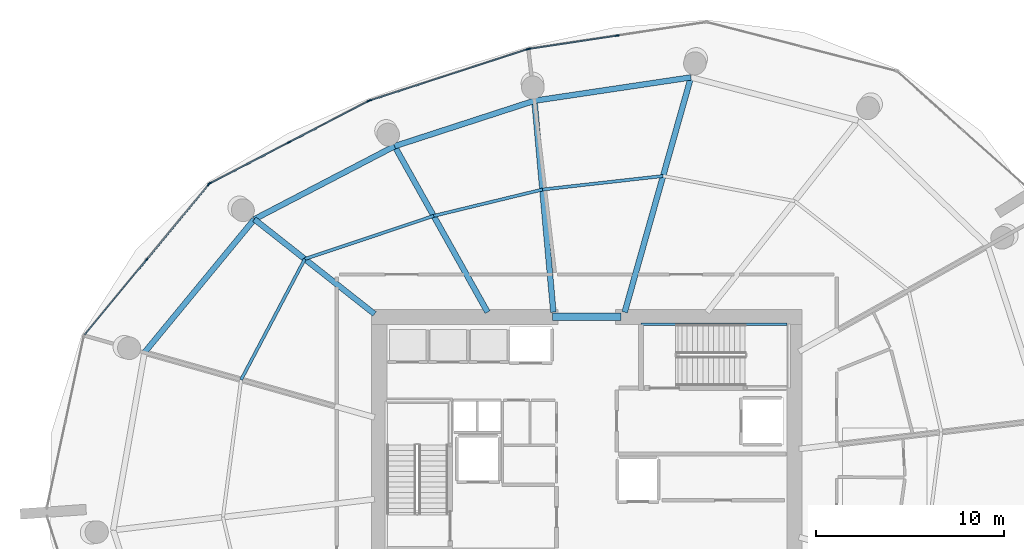
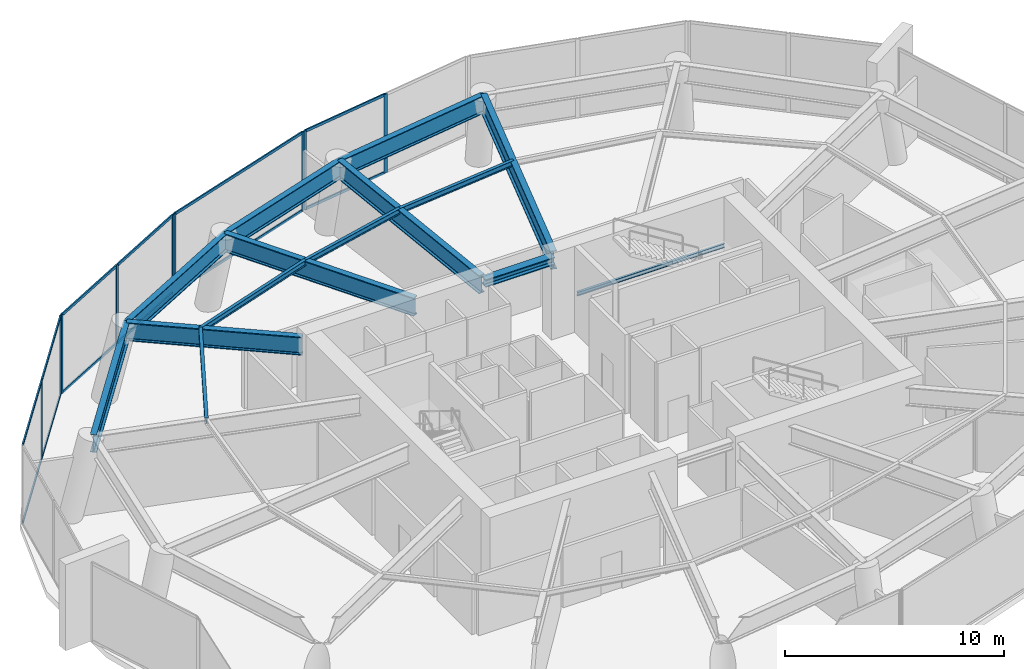
# One storey, part 8 of 16: 21 members, 14 beams, 4 elements without a shape of their own.
"""IFC4 building model written with IfcOpenShell, lengths in metres."""

from ifc_helpers import new_model, si_unit, direction, frame, origin, origin_2d, place, context, subcontext, project, spatial, rectangle, i_section, extrude, material, layer, layer_set, material_profile, profile_set, type_object, element, aggregate, save


model = new_model("IFC4")

# Units and contexts
model_context = context("Model", 3, precision=1e-05, world=origin(), true_north=direction((0.0, 1.0)))
body_context = subcontext(model_context, "Body", "Model", "MODEL_VIEW")
ifc_project = project(units=[si_unit("LENGTHUNIT", "METRE"), si_unit("AREAUNIT", "SQUARE_METRE"), si_unit("VOLUMEUNIT", "CUBIC_METRE"), si_unit("PLANEANGLEUNIT", "RADIAN"), si_unit("MASSUNIT", "GRAM", prefix="KILO")], contexts=[model_context])

# Site, building, storey
site_placement = place(None, origin())
site = spatial("IfcSite", under=ifc_project, at=site_placement, CompositionType="ELEMENT")
building_placement = place(site_placement, origin())
building = spatial("IfcBuilding", under=site, at=building_placement, Name="Kazma Halo Residences", CompositionType="ELEMENT")
storey_placement = place(building_placement, frame((0.0, 0.0, 123.0)))
storey = spatial("IfcBuildingStorey", under=building, at=storey_placement, Name="L30", CompositionType="ELEMENT", Elevation=123.0)

# Beams
ifc_material_1 = material(Name="Steel S355", Category="steel")
ifc_material_profile_1 = material_profile(ifc_material_1, i_section(OverallWidth=0.408935546875, OverallDepth=0.425048828125, WebThickness=0.03271484375, FlangeThickness=0.052490234375, FilletRadius=0.02001953125, at=origin_2d()), Name="W360x421")
ifc_profile_set_1 = profile_set([ifc_material_profile_1], Name="Steel S355")
beam_type_1 = type_object("IfcBeamType", Name="BM-CORE-W360H", PredefinedType="BEAM", material=ifc_profile_set_1)
beam_1_placement = place(storey_placement, frame((46.60009765625, 50.39990234375, 4.1875), z_axis=(1.0, 0.0, 0.0), x_axis=(0.0, 1.0, 0.0)))
element("IfcBeam", 1, at=beam_1_placement, inside=storey, type_object=beam_type_1, Name="L30 core coupling beam N", PredefinedType="BEAM", context=body_context, shape_type="SweptSolid", body=[
    extrude(i_section(OverallWidth=0.408935546875, OverallDepth=0.425048828125, WebThickness=0.03271484375, FlangeThickness=0.052490234375, FilletRadius=0.02001953125, at=origin_2d()), origin(), (0.0, 0.0, 1.0), 3.64990234375),
])
ifc_material_profile_2 = material_profile(ifc_material_1, i_section(OverallWidth=0.1650390625, OverallDepth=0.31005859375, WebThickness=0.005859375, FlangeThickness=0.009765625, FilletRadius=0.011962890625, at=origin_2d()), Name="W310x38.7")
ifc_profile_set_2 = profile_set([ifc_material_profile_2], Name="Steel S355")
beam_type_2 = type_object("IfcBeamType", Name="BM-SEC-W310B", PredefinedType="JOIST", material=ifc_profile_set_2)
beam_2_placement = place(storey_placement, frame((52.479736328125, 57.8837890625, 4.2451171875), z_axis=(-0.993758506402, -0.111552816879, 0.0), x_axis=(0.111552816879, -0.993758506402, 0.0)))
element("IfcBeam", 2, at=beam_2_placement, inside=storey, type_object=beam_type_2, Name="L30 circumferential floor joist 03", PredefinedType="JOIST", context=body_context, shape_type="SweptSolid", body=[
    extrude(i_section(OverallWidth=0.1650390625, OverallDepth=0.31005859375, WebThickness=0.005859375, FlangeThickness=0.009765625, FilletRadius=0.011962890625, at=origin_2d()), origin(), (0.0, 0.0, 1.0), 6.451904296875),
])
beam_3_placement = place(storey_placement, frame((46.068115234375, 57.1640625, 4.2451171875), z_axis=(-0.971857230303, -0.235570634649, 0.0), x_axis=(0.235570634649, -0.971857230303, 0.0)))
element("IfcBeam", 3, at=beam_3_placement, inside=storey, type_object=beam_type_2, Name="L30 circumferential floor joist 04", PredefinedType="JOIST", context=body_context, shape_type="SweptSolid", body=[
    extrude(i_section(OverallWidth=0.1650390625, OverallDepth=0.31005859375, WebThickness=0.005859375, FlangeThickness=0.009765625, FilletRadius=0.011962890625, at=origin_2d()), origin(), (0.0, 0.0, 1.0), 5.943603515625),
])
beam_4_placement = place(storey_placement, frame((40.291748046875, 55.763916015625, 4.2451171875), z_axis=(-0.948280028071, -0.31743501439, 0.0), x_axis=(0.31743501439, -0.948280028071, 0.0)))
element("IfcBeam", 4, at=beam_4_placement, inside=storey, type_object=beam_type_2, Name="L30 circumferential floor joist 05", PredefinedType="JOIST", context=body_context, shape_type="SweptSolid", body=[
    extrude(i_section(OverallWidth=0.1650390625, OverallDepth=0.31005859375, WebThickness=0.005859375, FlangeThickness=0.009765625, FilletRadius=0.011962890625, at=origin_2d()), origin(), (0.0, 0.0, 1.0), 7.218017578125),
])
beam_5_placement = place(storey_placement, frame((33.447021484375, 53.47265625, 4.2451171875), z_axis=(-0.466699374424, -0.884416018575, 0.0), x_axis=(0.884416018575, -0.466699374424, 0.0)))
element("IfcBeam", 5, at=beam_5_placement, inside=storey, type_object=beam_type_2, Name="L30 circumferential floor joist 06", PredefinedType="JOIST", context=body_context, shape_type="SweptSolid", body=[
    extrude(i_section(OverallWidth=0.1650390625, OverallDepth=0.31005859375, WebThickness=0.005859375, FlangeThickness=0.009765625, FilletRadius=0.011962890625, at=origin_2d()), origin(), (0.0, 0.0, 1.0), 7.251953125),
])
ifc_material_profile_3 = material_profile(ifc_material_1, i_section(OverallWidth=0.302001953125, OverallDepth=1.01806640625, WebThickness=0.021484375, FlangeThickness=0.049072265625, FilletRadius=0.028076171875, at=origin_2d()), Name="W1000x443")
ifc_profile_set_3 = profile_set([ifc_material_profile_3], Name="Steel S355")
beam_type_3 = type_object("IfcBeamType", Name="BM-TRANS-W1000A", PredefinedType="BEAM", material=ifc_profile_set_3)
beam_6_placement = place(storey_placement, frame((50.439697265625, 50.64990234375, 3.89111328125), z_axis=(0.271432420766, 0.962457500858, 0.0), x_axis=(-0.962457500858, 0.271432420766, 0.0)))
element("IfcBeam", 6, at=beam_6_placement, inside=storey, type_object=beam_type_3, Name="L30 podium radial transfer girder 03", PredefinedType="BEAM", context=body_context, shape_type="SweptSolid", body=[
    extrude(i_section(OverallWidth=0.302001953125, OverallDepth=1.01806640625, WebThickness=0.021484375, FlangeThickness=0.049072265625, FilletRadius=0.028076171875, at=origin_2d()), origin(), (0.0, 0.0, 1.0), 12.95849609375),
])
beam_7_placement = place(storey_placement, frame((46.64990234375, 50.64990234375, 3.89111328125), z_axis=(-0.088944596011, 0.996036575052, 0.0), x_axis=(-0.996036575052, -0.088944596011, 0.0)))
element("IfcBeam", 7, at=beam_7_placement, inside=storey, type_object=beam_type_3, Name="L30 podium radial transfer girder 04", PredefinedType="BEAM", context=body_context, shape_type="SweptSolid", body=[
    extrude(i_section(OverallWidth=0.302001953125, OverallDepth=1.01806640625, WebThickness=0.021484375, FlangeThickness=0.049072265625, FilletRadius=0.028076171875, at=origin_2d()), origin(), (0.0, 0.0, 1.0), 11.27587890625),
])
beam_8_placement = place(storey_placement, frame((43.15576171875, 50.64990234375, 3.89111328125), z_axis=(-0.488604104572, 0.872505603991, 0.0), x_axis=(-0.872505603991, -0.488604104572, 0.0)))
element("IfcBeam", 8, at=beam_8_placement, inside=storey, type_object=beam_type_3, Name="L30 podium radial transfer girder 05", PredefinedType="BEAM", context=body_context, shape_type="SweptSolid", body=[
    extrude(i_section(OverallWidth=0.302001953125, OverallDepth=1.01806640625, WebThickness=0.021484375, FlangeThickness=0.049072265625, FilletRadius=0.028076171875, at=origin_2d()), origin(), (0.0, 0.0, 1.0), 10.105712890625),
])
beam_9_placement = place(storey_placement, frame((37.14990234375, 50.553466796875, 3.89111328125), z_axis=(-0.785316898239, 0.619093990715, 0.0), x_axis=(-0.619093990715, -0.785316898239, 0.0)))
element("IfcBeam", 9, at=beam_9_placement, inside=storey, type_object=beam_type_3, Name="L30 podium radial transfer girder 06", PredefinedType="BEAM", context=body_context, shape_type="SweptSolid", body=[
    extrude(i_section(OverallWidth=0.302001953125, OverallDepth=1.01806640625, WebThickness=0.021484375, FlangeThickness=0.049072265625, FilletRadius=0.028076171875, at=origin_2d()), origin(), (0.0, 0.0, 1.0), 8.129638671875),
])
ifc_material_profile_4 = material_profile(ifc_material_1, i_section(OverallWidth=0.300048828125, OverallDepth=1.0, WebThickness=0.01904296875, FlangeThickness=0.0400390625, FilletRadius=0.02587890625, at=origin_2d()), Name="W1000x371")
ifc_profile_set_4 = profile_set([ifc_material_profile_4], Name="Steel S355")
beam_type_4 = type_object("IfcBeamType", Name="BM-TRANS-W1000B", PredefinedType="BEAM", material=ifc_profile_set_4)
beam_10_placement = place(storey_placement, frame((53.95703125, 63.121826171875, 3.89990234375), z_axis=(-0.989037147603, -0.147666924735, 0.0), x_axis=(0.147666924735, -0.989037147603, 0.0)))
element("IfcBeam", 10, at=beam_10_placement, inside=storey, type_object=beam_type_4, Name="L30 perimeter ring beam 03", PredefinedType="BEAM", context=body_context, shape_type="SweptSolid", body=[
    extrude(i_section(OverallWidth=0.300048828125, OverallDepth=1.0, WebThickness=0.01904296875, FlangeThickness=0.0400390625, FilletRadius=0.02587890625, at=origin_2d()), origin(), (0.0, 0.0, 1.0), 8.402099609375),
])
beam_11_placement = place(storey_placement, frame((45.64697265625, 61.881103515625, 3.89990234375), z_axis=(-0.95105634578, -0.309017519167, 0.0), x_axis=(0.309017519167, -0.95105634578, 0.0)))
element("IfcBeam", 11, at=beam_11_placement, inside=storey, type_object=beam_type_4, Name="L30 perimeter ring beam 04", PredefinedType="BEAM", context=body_context, shape_type="SweptSolid", body=[
    extrude(i_section(OverallWidth=0.300048828125, OverallDepth=1.0, WebThickness=0.01904296875, FlangeThickness=0.0400390625, FilletRadius=0.02587890625, at=origin_2d()), origin(), (0.0, 0.0, 1.0), 7.811279296875),
])
beam_12_placement = place(storey_placement, frame((38.218017578125, 59.46728515625, 3.89990234375), z_axis=(-0.886943099021, -0.461878706046, 0.0), x_axis=(0.461878706046, -0.886943099021, 0.0)))
element("IfcBeam", 12, at=beam_12_placement, inside=storey, type_object=beam_type_4, Name="L30 perimeter ring beam 05", PredefinedType="BEAM", context=body_context, shape_type="SweptSolid", body=[
    extrude(i_section(OverallWidth=0.300048828125, OverallDepth=1.0, WebThickness=0.01904296875, FlangeThickness=0.0400390625, FilletRadius=0.02587890625, at=origin_2d()), origin(), (0.0, 0.0, 1.0), 8.40234375),
])
beam_13_placement = place(storey_placement, frame((30.765625, 55.58642578125, 3.89990234375), z_axis=(-0.636018723515, -0.771673624882, 0.0), x_axis=(0.771673624882, -0.636018723515, 0.0)))
element("IfcBeam", 13, at=beam_13_placement, inside=storey, type_object=beam_type_4, Name="L30 perimeter ring beam 06", PredefinedType="BEAM", context=body_context, shape_type="SweptSolid", body=[
    extrude(i_section(OverallWidth=0.300048828125, OverallDepth=1.0, WebThickness=0.01904296875, FlangeThickness=0.0400390625, FilletRadius=0.02587890625, at=origin_2d()), origin(), (0.0, 0.0, 1.0), 9.175048828125),
])
ifc_material_profile_5 = material_profile(ifc_material_1, i_section(OverallWidth=0.133056640625, OverallDepth=0.20703125, WebThickness=0.005859375, FlangeThickness=0.00830078125, FilletRadius=0.010009765625, at=origin_2d()), Name="W200x26.6")
ifc_profile_set_5 = profile_set([ifc_material_profile_5], Name="Steel S355")
beam_type_5 = type_object("IfcBeamType", Name="BM-TRIM-W200", PredefinedType="BEAM", material=ifc_profile_set_5)
beam_14_placement = place(storey_placement, frame((51.31005859375, 50.02001953125, 2.094970703125), z_axis=(1.0, 0.0, 0.0), x_axis=(0.0, 1.0, 0.0)))
element("IfcBeam", 14, at=beam_14_placement, inside=storey, type_object=beam_type_5, Name="L30 ST-02 landing north wall ledger", PredefinedType="BEAM", context=body_context, shape_type="SweptSolid", body=[
    extrude(i_section(OverallWidth=0.133056640625, OverallDepth=0.20703125, WebThickness=0.005859375, FlangeThickness=0.00830078125, FilletRadius=0.010009765625, at=origin_2d()), origin(), (0.0, 0.0, 1.0), 7.760009765625),
])

# Curtain wall, members
ifc_material_2 = material(Name="Aluminium AW-6063 T6 and Triple-Silver Low-E Glass", Category="aluminium")
ifc_layer = layer(ifc_material_2, 0.199951171875)
ifc_layer_set = layer_set([ifc_layer], Name="Aluminium AW-6063 T6 and Triple-Silver Low-E Glass")
curtain_wall_type = type_object("IfcCurtainWallType", Name="CW-SYS-3", PredefinedType="NOTDEFINED", material=ifc_layer_set)
curtain_wall_1_placement = place(storey_placement, origin())
curtain_wall_1 = element("IfcCurtainWall", 15, at=curtain_wall_1_placement, inside=storey, type_object=curtain_wall_type, Name="L30 unitised curtain wall B03", PredefinedType="NOTDEFINED")
ifc_material_3 = material(Name="Aluminium AW-6063 T6", Category="aluminium")
ifc_material_profile_6 = material_profile(ifc_material_3, rectangle(XDim=0.070068359375, YDim=0.199951171875, at=origin_2d()), Name="CWM-70x200")
ifc_profile_set_6 = profile_set([ifc_material_profile_6], Name="Aluminium AW-6063 T6")
member_type_1 = type_object("IfcMemberType", Name="CW-SYS-3-MUL", PredefinedType="MULLION", material=ifc_profile_set_6)
member_1_placement = place(storey_placement, frame((50.052734375, 65.343017578125, 0.0), z_axis=(0.0, 0.0, 1.0), x_axis=(0.148767641273, -0.988872180269, 0.0)))
member_1 = element("IfcMember", 16, at=member_1_placement, type_object=member_type_1, Name="CWS-3 mullion 2", PredefinedType="MULLION", context=body_context, shape_type="SweptSolid", body=[
    extrude(rectangle(XDim=0.070068359375, YDim=0.199951171875, at=origin_2d()), origin(), (0.0, 0.0, 1.0), 4.39990234375),
])
member_2_placement = place(storey_placement, frame((45.35595703125, 64.636474609375, 0.0), z_axis=(0.0, 0.0, 1.0), x_axis=(0.148767641273, -0.988872180269, 0.0)))
member_2 = element("IfcMember", 17, at=member_2_placement, type_object=member_type_1, Name="CWS-3 mullion 3", PredefinedType="MULLION", context=body_context, shape_type="SweptSolid", body=[
    extrude(rectangle(XDim=0.070068359375, YDim=0.199951171875, at=origin_2d()), origin(), (0.0, 0.0, 1.0), 4.39990234375),
])

curtain_wall_2_placement = place(storey_placement, origin())
curtain_wall_2 = element("IfcCurtainWall", 18, at=curtain_wall_2_placement, inside=storey, type_object=curtain_wall_type, Name="L30 unitised curtain wall B04", PredefinedType="NOTDEFINED")
member_3_placement = place(storey_placement, frame((45.2880859375, 64.620361328125, 0.0), z_axis=(0.0, 0.0, 1.0), x_axis=(0.309022243742, -0.951054810656, 0.0)))
member_3 = element("IfcMember", 19, at=member_3_placement, type_object=member_type_1, Name="CWS-3 mullion 1", PredefinedType="MULLION", context=body_context, shape_type="SweptSolid", body=[
    extrude(rectangle(XDim=0.070068359375, YDim=0.199951171875, at=origin_2d()), origin(), (0.0, 0.0, 1.0), 4.39990234375),
])
member_4_placement = place(storey_placement, frame((36.89794921875, 61.894287109375, 0.0), z_axis=(0.0, 0.0, 1.0), x_axis=(0.309022243742, -0.951054810656, 0.0)))
member_4 = element("IfcMember", 20, at=member_4_placement, type_object=member_type_1, Name="CWS-3 mullion 2", PredefinedType="MULLION", context=body_context, shape_type="SweptSolid", body=[
    extrude(rectangle(XDim=0.070068359375, YDim=0.199951171875, at=origin_2d()), origin(), (0.0, 0.0, 1.0), 4.39990234375),
])

curtain_wall_3_placement = place(storey_placement, origin())
curtain_wall_3 = element("IfcCurtainWall", 21, at=curtain_wall_3_placement, inside=storey, type_object=curtain_wall_type, Name="L30 unitised curtain wall B05", PredefinedType="NOTDEFINED")
member_5_placement = place(storey_placement, frame((36.833740234375, 61.8671875, 0.0), z_axis=(0.0, 0.0, 1.0), x_axis=(0.46088412536, -0.887460321925, 0.0)))
member_5 = element("IfcMember", 22, at=member_5_placement, type_object=member_type_1, Name="CWS-3 mullion 1", PredefinedType="MULLION", context=body_context, shape_type="SweptSolid", body=[
    extrude(rectangle(XDim=0.070068359375, YDim=0.199951171875, at=origin_2d()), origin(), (0.0, 0.0, 1.0), 4.39990234375),
])
member_6_placement = place(storey_placement, frame((32.61865234375, 59.67822265625, 0.0), z_axis=(0.0, 0.0, 1.0), x_axis=(0.46088412536, -0.887460321925, 0.0)))
member_6 = element("IfcMember", 23, at=member_6_placement, type_object=member_type_1, Name="CWS-3 mullion 2", PredefinedType="MULLION", context=body_context, shape_type="SweptSolid", body=[
    extrude(rectangle(XDim=0.070068359375, YDim=0.199951171875, at=origin_2d()), origin(), (0.0, 0.0, 1.0), 4.39990234375),
])
member_7_placement = place(storey_placement, frame((28.403564453125, 57.4892578125, 0.0), z_axis=(0.0, 0.0, 1.0), x_axis=(0.46088412536, -0.887460321925, 0.0)))
member_7 = element("IfcMember", 24, at=member_7_placement, type_object=member_type_1, Name="CWS-3 mullion 3", PredefinedType="MULLION", context=body_context, shape_type="SweptSolid", body=[
    extrude(rectangle(XDim=0.070068359375, YDim=0.199951171875, at=origin_2d()), origin(), (0.0, 0.0, 1.0), 4.39990234375),
])

curtain_wall_4_placement = place(storey_placement, origin())
curtain_wall_4 = element("IfcCurtainWall", 25, at=curtain_wall_4_placement, inside=storey, type_object=curtain_wall_type, Name="L30 unitised curtain wall B06", PredefinedType="NOTDEFINED")
member_8_placement = place(storey_placement, frame((28.35009765625, 57.446044921875, 0.0), z_axis=(0.0, 0.0, 1.0), x_axis=(0.771065486446, -0.636755852437, 0.0)))
member_8 = element("IfcMember", 26, at=member_8_placement, type_object=member_type_1, Name="CWS-3 mullion 1", PredefinedType="MULLION", context=body_context, shape_type="SweptSolid", body=[
    extrude(rectangle(XDim=0.070068359375, YDim=0.199951171875, at=origin_2d()), origin(), (0.0, 0.0, 1.0), 4.39990234375),
])
member_9_placement = place(storey_placement, frame((25.044189453125, 53.44287109375, 0.0), z_axis=(0.0, 0.0, 1.0), x_axis=(0.771065486446, -0.636755852437, 0.0)))
member_9 = element("IfcMember", 27, at=member_9_placement, type_object=member_type_1, Name="CWS-3 mullion 2", PredefinedType="MULLION", context=body_context, shape_type="SweptSolid", body=[
    extrude(rectangle(XDim=0.070068359375, YDim=0.199951171875, at=origin_2d()), origin(), (0.0, 0.0, 1.0), 4.39990234375),
])

# Member
ifc_material_profile_7 = material_profile(ifc_material_3, rectangle(XDim=0.070068359375, YDim=0.14990234375, at=origin_2d()), Name="CWT-70x150")
ifc_profile_set_7 = profile_set([ifc_material_profile_7], Name="Aluminium AW-6063 T6")
member_type_2 = type_object("IfcMemberType", Name="CW-SYS-3-TRN", PredefinedType="USERDEFINED", material=ifc_profile_set_7)
member_10_placement = place(storey_placement, frame((50.018310546875, 65.337890625, 0.034912109375), z_axis=(-0.988869286604, -0.14878687446, 0.0), x_axis=(0.14878687446, -0.988869286604, 0.0)))
member_10 = element("IfcMember", 28, at=member_10_placement, type_object=member_type_2, Name="CWS-3 transom 2.1", ObjectType="TRANSOM", PredefinedType="USERDEFINED", context=body_context, shape_type="SweptSolid", body=[
    extrude(rectangle(XDim=0.070068359375, YDim=0.14990234375, at=origin_2d()), origin(), (0.0, 0.0, 1.0), 4.6796875),
])

member_11_placement = place(storey_placement, frame((50.018310546875, 65.337890625, 4.364990234375), z_axis=(-0.988869286604, -0.14878687446, 0.0), x_axis=(0.14878687446, -0.988869286604, 0.0)))
member_11 = element("IfcMember", 29, at=member_11_placement, type_object=member_type_2, Name="CWS-3 transom 2.2", ObjectType="TRANSOM", PredefinedType="USERDEFINED", context=body_context, shape_type="SweptSolid", body=[
    extrude(rectangle(XDim=0.070068359375, YDim=0.14990234375, at=origin_2d()), origin(), (0.0, 0.0, 1.0), 4.6796875),
])

aggregate(curtain_wall_1, [member_1, member_2, member_10, member_11])

member_12_placement = place(storey_placement, frame((45.2548828125, 64.609619140625, 0.034912109375), z_axis=(-0.951054976041, -0.30902173475, 0.0), x_axis=(0.30902173475, -0.951054976041, 0.0)))
member_12 = element("IfcMember", 30, at=member_12_placement, type_object=member_type_2, Name="CWS-3 transom 1.1", ObjectType="TRANSOM", PredefinedType="USERDEFINED", context=body_context, shape_type="SweptSolid", body=[
    extrude(rectangle(XDim=0.070068359375, YDim=0.14990234375, at=origin_2d()), origin(), (0.0, 0.0, 1.0), 8.752197265625),
])

member_13_placement = place(storey_placement, frame((45.2548828125, 64.609619140625, 4.364990234375), z_axis=(-0.951054976041, -0.30902173475, 0.0), x_axis=(0.30902173475, -0.951054976041, 0.0)))
member_13 = element("IfcMember", 31, at=member_13_placement, type_object=member_type_2, Name="CWS-3 transom 1.2", ObjectType="TRANSOM", PredefinedType="USERDEFINED", context=body_context, shape_type="SweptSolid", body=[
    extrude(rectangle(XDim=0.070068359375, YDim=0.14990234375, at=origin_2d()), origin(), (0.0, 0.0, 1.0), 8.752197265625),
])

aggregate(curtain_wall_2, [member_3, member_4, member_12, member_13])

member_14_placement = place(storey_placement, frame((36.802490234375, 61.85107421875, 0.034912109375), z_axis=(-0.887455861162, -0.460892714727, 0.0), x_axis=(0.460892714727, -0.887455861162, 0.0)))
member_14 = element("IfcMember", 32, at=member_14_placement, type_object=member_type_2, Name="CWS-3 transom 1.1", ObjectType="TRANSOM", PredefinedType="USERDEFINED", context=body_context, shape_type="SweptSolid", body=[
    extrude(rectangle(XDim=0.070068359375, YDim=0.14990234375, at=origin_2d()), origin(), (0.0, 0.0, 1.0), 4.679443359375),
])

member_15_placement = place(storey_placement, frame((36.802490234375, 61.85107421875, 4.364990234375), z_axis=(-0.887455861162, -0.460892714727, 0.0), x_axis=(0.460892714727, -0.887455861162, 0.0)))
member_15 = element("IfcMember", 33, at=member_15_placement, type_object=member_type_2, Name="CWS-3 transom 1.2", ObjectType="TRANSOM", PredefinedType="USERDEFINED", context=body_context, shape_type="SweptSolid", body=[
    extrude(rectangle(XDim=0.070068359375, YDim=0.14990234375, at=origin_2d()), origin(), (0.0, 0.0, 1.0), 4.679443359375),
])

member_16_placement = place(storey_placement, frame((32.58740234375, 59.662109375, 0.034912109375), z_axis=(-0.887455861162, -0.460892714727, 0.0), x_axis=(0.460892714727, -0.887455861162, 0.0)))
member_16 = element("IfcMember", 34, at=member_16_placement, type_object=member_type_2, Name="CWS-3 transom 2.1", ObjectType="TRANSOM", PredefinedType="USERDEFINED", context=body_context, shape_type="SweptSolid", body=[
    extrude(rectangle(XDim=0.070068359375, YDim=0.14990234375, at=origin_2d()), origin(), (0.0, 0.0, 1.0), 4.679443359375),
])

member_17_placement = place(storey_placement, frame((32.58740234375, 59.662109375, 4.364990234375), z_axis=(-0.887455861162, -0.460892714727, 0.0), x_axis=(0.460892714727, -0.887455861162, 0.0)))
member_17 = element("IfcMember", 35, at=member_17_placement, type_object=member_type_2, Name="CWS-3 transom 2.2", ObjectType="TRANSOM", PredefinedType="USERDEFINED", context=body_context, shape_type="SweptSolid", body=[
    extrude(rectangle(XDim=0.070068359375, YDim=0.14990234375, at=origin_2d()), origin(), (0.0, 0.0, 1.0), 4.679443359375),
])

aggregate(curtain_wall_3, [member_5, member_6, member_7, member_14, member_15, member_16, member_17])

member_18_placement = place(storey_placement, frame((28.327880859375, 57.419189453125, 0.034912109375), z_axis=(-0.63674593218, -0.771073678615, 0.0), x_axis=(0.771073678615, -0.63674593218, 0.0)))
member_18 = element("IfcMember", 36, at=member_18_placement, type_object=member_type_2, Name="CWS-3 transom 1.1", ObjectType="TRANSOM", PredefinedType="USERDEFINED", context=body_context, shape_type="SweptSolid", body=[
    extrude(rectangle(XDim=0.070068359375, YDim=0.14990234375, at=origin_2d()), origin(), (0.0, 0.0, 1.0), 5.121826171875),
])

member_19_placement = place(storey_placement, frame((28.327880859375, 57.419189453125, 4.364990234375), z_axis=(-0.63674593218, -0.771073678615, 0.0), x_axis=(0.771073678615, -0.63674593218, 0.0)))
member_19 = element("IfcMember", 37, at=member_19_placement, type_object=member_type_2, Name="CWS-3 transom 1.2", ObjectType="TRANSOM", PredefinedType="USERDEFINED", context=body_context, shape_type="SweptSolid", body=[
    extrude(rectangle(XDim=0.070068359375, YDim=0.14990234375, at=origin_2d()), origin(), (0.0, 0.0, 1.0), 5.121826171875),
])

member_20_placement = place(storey_placement, frame((25.02197265625, 53.416015625, 0.034912109375), z_axis=(-0.63674593218, -0.771073678615, 0.0), x_axis=(0.771073678615, -0.63674593218, 0.0)))
member_20 = element("IfcMember", 38, at=member_20_placement, type_object=member_type_2, Name="CWS-3 transom 2.1", ObjectType="TRANSOM", PredefinedType="USERDEFINED", context=body_context, shape_type="SweptSolid", body=[
    extrude(rectangle(XDim=0.070068359375, YDim=0.14990234375, at=origin_2d()), origin(), (0.0, 0.0, 1.0), 5.121826171875),
])

member_21_placement = place(storey_placement, frame((25.02197265625, 53.416015625, 4.364990234375), z_axis=(-0.63674593218, -0.771073678615, 0.0), x_axis=(0.771073678615, -0.63674593218, 0.0)))
member_21 = element("IfcMember", 39, at=member_21_placement, type_object=member_type_2, Name="CWS-3 transom 2.2", ObjectType="TRANSOM", PredefinedType="USERDEFINED", context=body_context, shape_type="SweptSolid", body=[
    extrude(rectangle(XDim=0.070068359375, YDim=0.14990234375, at=origin_2d()), origin(), (0.0, 0.0, 1.0), 5.121826171875),
])

aggregate(curtain_wall_4, [member_8, member_9, member_18, member_19, member_20, member_21])

save(model, "model.ifc")
